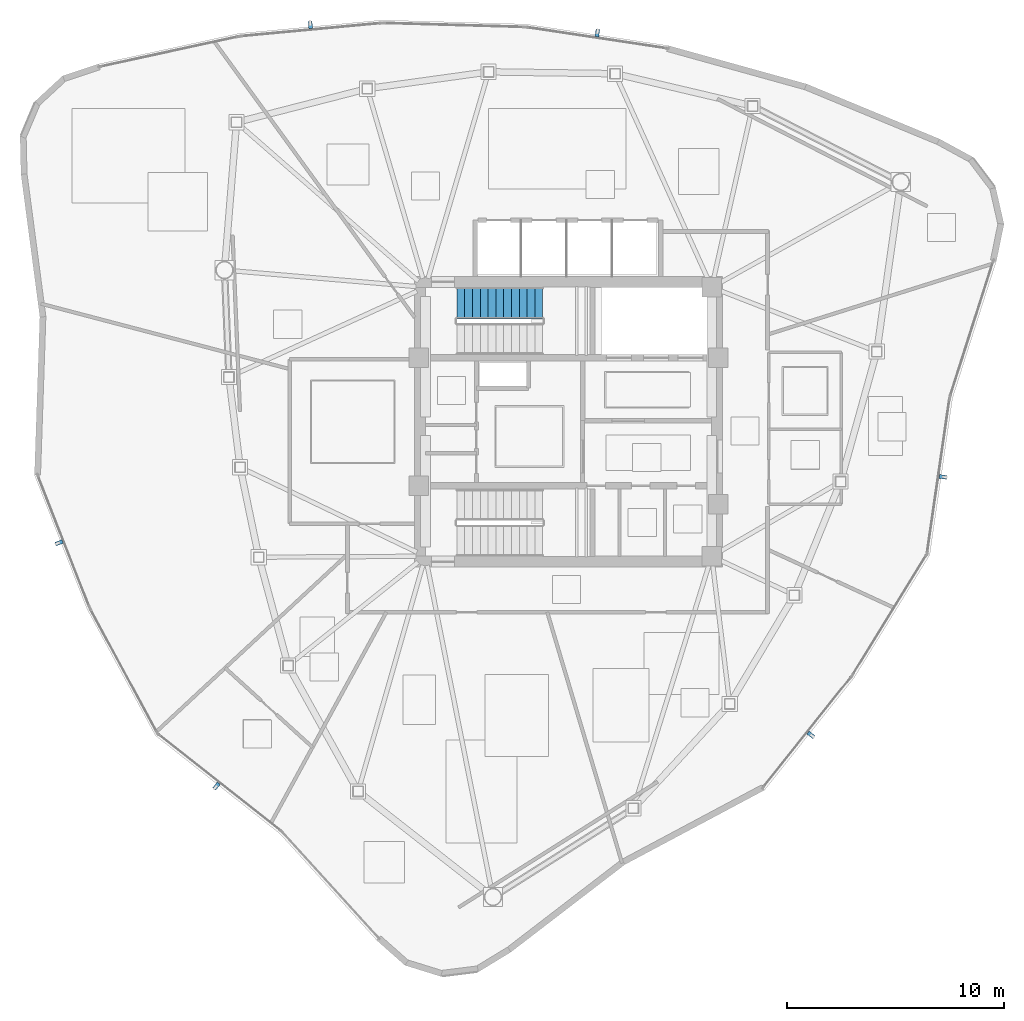
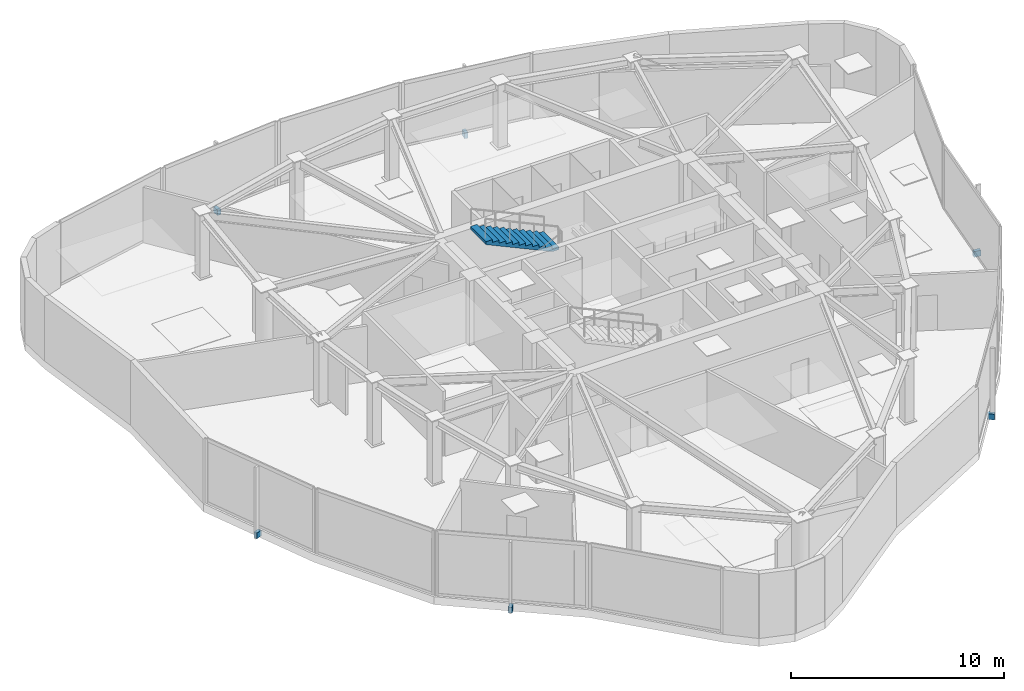
# One storey, part 11 of 14: 6 discrete accessories, 1 stair flight, 1 element without a shape of its own.
"""IFC4 building model written with IfcOpenShell, lengths in metres."""

from ifc_helpers import new_model, si_unit, direction, frame, origin, origin_2d, place, context, subcontext, project, spatial, polyline, rectangle, outline, extrude, source, transform, mapped, material, type_object, type_shapes, element, aggregate, save


model = new_model("IFC4")

# Units and contexts
model_context = context("Model", 3, precision=1e-05, world=origin(), true_north=direction((0.0, 1.0)))
body_context = subcontext(model_context, "Body", "Model", "MODEL_VIEW")
ifc_project = project(units=[si_unit("LENGTHUNIT", "METRE"), si_unit("AREAUNIT", "SQUARE_METRE"), si_unit("VOLUMEUNIT", "CUBIC_METRE"), si_unit("PLANEANGLEUNIT", "RADIAN"), si_unit("MASSUNIT", "GRAM", prefix="KILO")], contexts=[model_context])

# Site, building, storey
site_placement = place(None, origin())
site = spatial("IfcSite", under=ifc_project, at=site_placement, CompositionType="ELEMENT")
building_placement = place(site_placement, origin())
building = spatial("IfcBuilding", under=site, at=building_placement, Name="Tavelor Broadcast Tower", CompositionType="ELEMENT")
storey_placement = place(building_placement, frame((0.0, 0.0, 273.5)))
storey = spatial("IfcBuildingStorey", under=building, at=storey_placement, Name="L65", CompositionType="ELEMENT", Elevation=273.5)

# Stair, stair flight
ifc_material_1 = material(Name="Concrete C40/50", Category="concrete")
stair_type = type_object("IfcStairType", Name="Reinforced Concrete Protected Dogleg Stair 1450 mm", PredefinedType="HALF_TURN_STAIR", material=ifc_material_1)
stair_placement = place(storey_placement, origin())
stair = element("IfcStair", 1, at=stair_placement, inside=storey, type_object=stair_type, Name="L65 Protected Core Exit Stair ST1", PredefinedType="HALF_TURN_STAIR")
stair_flight_type = type_object("IfcStairFlightType", Name="Reinforced Concrete Stair Flight 1450 mm", PredefinedType="STRAIGHT", material=ifc_material_1)
stair_flight_placement = place(storey_placement, frame((48.81005859375, 50.47509765625, 2.0), z_axis=(0.0, 0.0, 1.0), x_axis=(-1.0, 0.0, 0.0)))
stair_flight = element("IfcStairFlight", 2, at=stair_flight_placement, type_object=stair_flight_type, Name="ST1 flight 2", NumberOfRisers=12, NumberOfTreads=11, PredefinedType="STRAIGHT", RiserHeight=0.166666667, TreadLength=0.36, context=body_context, shape_type="SweptSolid", body=[
    extrude(outline(polyline([(0.0, 0.0), (0.0, 0.166748046875), (0.360107421875, 0.166748046875), (0.360107421875, 0.333251953125), (0.719970703125, 0.333251953125), (0.719970703125, 0.5), (1.080078125, 0.5), (1.080078125, 0.666748046875), (1.43994140625, 0.666748046875), (1.43994140625, 0.833251953125), (1.800048828125, 0.833251953125), (1.800048828125, 1.0), (2.159912109375, 1.0), (2.159912109375, 1.166748046875), (2.52001953125, 1.166748046875), (2.52001953125, 1.333251953125), (2.8798828125, 1.333251953125), (2.8798828125, 1.5), (3.239990234375, 1.5), (3.239990234375, 1.666748046875), (3.60009765625, 1.666748046875), (3.60009765625, 1.833251953125), (3.9599609375, 1.833251953125), (3.9599609375, 2.0), (3.9599609375, 1.668212890625), (0.356689453125, 0.0), (0.0, 0.0)])), frame((0.0, 0.72509765625, 0.0), z_axis=(0.0, -1.0, 0.0), x_axis=(1.0, 0.0, 0.0)), (0.0, 0.0, 1.0), 1.449951171875),
])
aggregate(stair, [stair_flight])

# Discrete accessories
ifc_material_2 = material(Name="Steel S355", Category="steel")
discrete_accessory_type = type_object("IfcDiscreteAccessoryType", Name="Stainless Baguette Outrigger Support Bracket 260x180", PredefinedType="BRACKET", material=ifc_material_2)
shared_shape = source(origin(), body_context, "Body", "SweptSolid", [
    extrude(rectangle(XDim=0.179931640625, YDim=0.340087890625, at=origin_2d()), origin(), (0.0, 0.0, 1.0), 0.323974609375),
])
type_shapes(discrete_accessory_type, [shared_shape])
for number, where, z_axis, x_axis, name in (
    (3, (26.508544921875, 39.421630859375, -0.38720703125), (0.0, 0.0, 1.0), (0.365364233984, -0.930864639207, 0.0), "L65 Baguette Outrigger Bracket 661"),
    (4, (33.76708984375, 28.201171875, -0.38720703125), (0.0, 0.0, 1.0), (0.785208866642, -0.619231003541, 0.0), "L65 Baguette Outrigger Bracket 662"),
    (5, (61.1767578125, 30.562744140625, -0.38720703125), (0.0, 0.0, 1.0), (0.623606756598, 0.781738199863, 0.0), "L65 Baguette Outrigger Bracket 663"),
    (6, (67.2646484375, 42.458984375, -0.38720703125), (0.0, 0.0, 1.0), (0.143665346556, 0.989626327559, 0.0), "L65 Baguette Outrigger Bracket 664"),
    (7, (51.327880859375, 62.924072265625, -0.38720703125), (0.0, 0.0, 1.0), (-0.988808518489, 0.149190193254, 0.0), "L65 Baguette Outrigger Bracket 665"),
    (8, (38.096923828125, 63.29931640625, -0.38720703125), (0.0, 0.0, 1.0), (-0.995676196569, -0.092891934994, 0.0), "L65 Baguette Outrigger Bracket 666"),
):
    element("IfcDiscreteAccessory", number, at=place(storey_placement, frame(where, z_axis=z_axis, x_axis=x_axis)), inside=storey, type_object=discrete_accessory_type, Name=name, PredefinedType="BRACKET", context=body_context, shape_type="MappedRepresentation", body=[
        mapped(shared_shape, transform((0.0, 0.0, 0.0), scale=1.0)),
    ])

save(model, "model.ifc")
